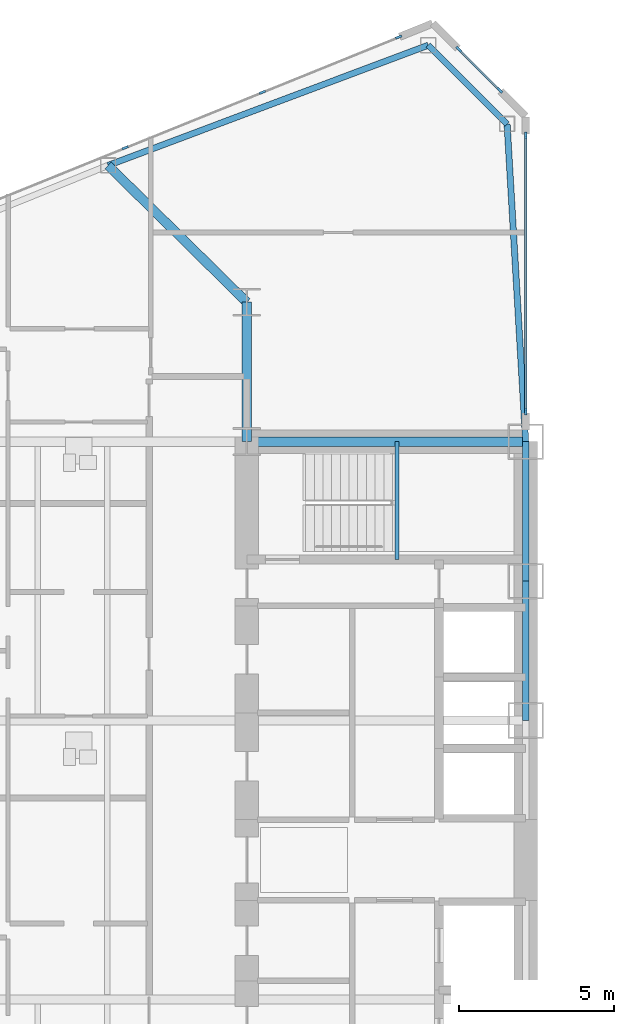
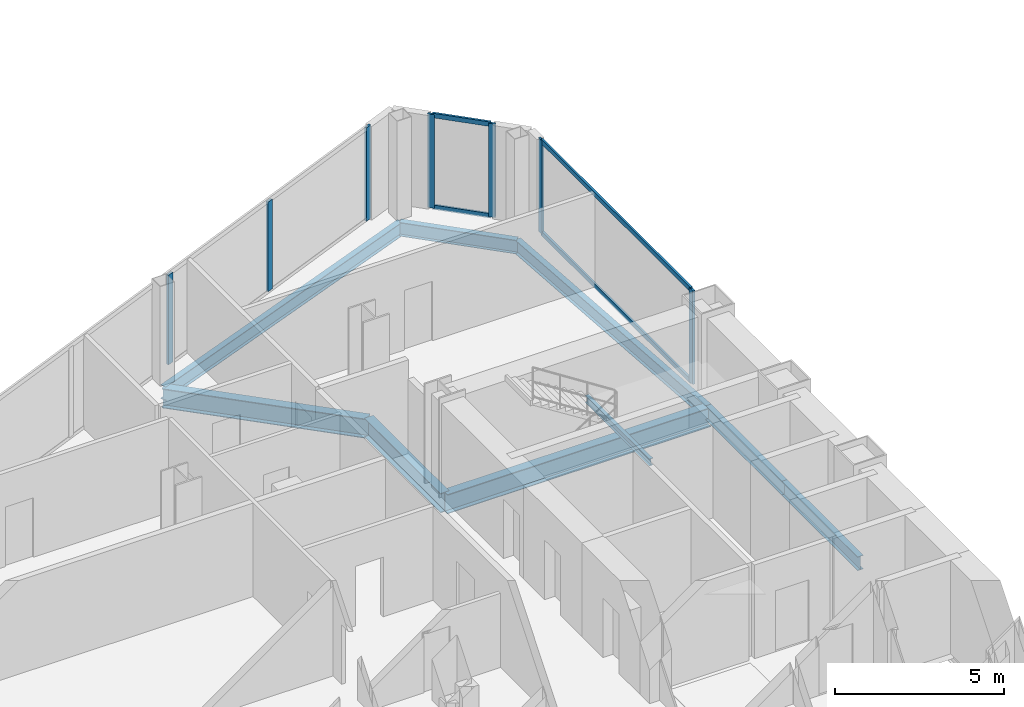
# One storey, part 8 of 25: 11 members, 9 beams, 3 elements without a shape of their own.
"""IFC4 building model written with IfcOpenShell, lengths in metres."""

from ifc_helpers import new_model, si_unit, direction, frame, origin, origin_2d, place, context, subcontext, project, spatial, rectangle, i_section, extrude, source, transform, mapped, material, layer, layer_set, material_profile, profile_set, type_object, type_shapes, element, aggregate, save


model = new_model("IFC4")

# Units and contexts
model_context = context("Model", 3, precision=1e-05, world=origin(), true_north=direction((0.0, 1.0)))
body_context = subcontext(model_context, "Body", "Model", "MODEL_VIEW")
ifc_project = project(units=[si_unit("LENGTHUNIT", "METRE"), si_unit("AREAUNIT", "SQUARE_METRE"), si_unit("VOLUMEUNIT", "CUBIC_METRE"), si_unit("PLANEANGLEUNIT", "RADIAN"), si_unit("MASSUNIT", "GRAM", prefix="KILO")], contexts=[model_context])

# Site, building, storey
site_placement = place(None, origin())
site = spatial("IfcSite", under=ifc_project, at=site_placement, CompositionType="ELEMENT")
building_placement = place(site_placement, origin())
building = spatial("IfcBuilding", under=site, at=building_placement, Name="Seokmaru Belvedere", CompositionType="ELEMENT")
storey_placement = place(building_placement, frame((0.0, 0.0, 29.699951171875)))
storey = spatial("IfcBuildingStorey", under=building, at=storey_placement, Name="L07", CompositionType="ELEMENT", Elevation=29.699951171875)

# Beams
ifc_material_1 = material(Name="Steel SM355 (355 MPa)", Category="steel")
ifc_material_profile_1 = material_profile(ifc_material_1, i_section(OverallWidth=0.199951171875, OverallDepth=0.5, WebThickness=0.010009765625, FlangeThickness=0.01611328125, at=origin_2d()), Name="H-500x200x10x16")
ifc_profile_set_1 = profile_set([ifc_material_profile_1], Name="Steel SM355 (355 MPa)")
beam_type_1 = type_object("IfcBeamType", Name="Perimeter Spandrel Beam H-500", PredefinedType="SPANDREL", material=ifc_profile_set_1)
shared_shape_1 = source(origin(), body_context, "Body", "SweptSolid", [
    extrude(i_section(OverallWidth=0.199951171875, OverallDepth=0.5, WebThickness=0.010009765625, FlangeThickness=0.01611328125, at=origin_2d()), origin(), (0.0, 0.0, 1.0), 4.5),
])
for number, where, z_axis, x_axis, name in (
    (1, (-27.5, 4.5, -0.469970703125), (0.0, 1.0, 0.0), (-1.0, 0.0, 0.0), "L07 W Portal Spine Spandrel 4"),
    (2, (-27.5, 9.0, -0.469970703125), (0.0, 1.0, 0.0), (-1.0, 0.0, 0.0), "L07 W Portal Spine Spandrel 5"),
):
    element("IfcBeam", number, at=place(storey_placement, frame(where, z_axis=z_axis, x_axis=x_axis)), inside=storey, type_object=beam_type_1, Name=name, PredefinedType="SPANDREL", context=body_context, shape_type="MappedRepresentation", body=[
        mapped(shared_shape_1, transform((0.0, 0.0, 0.0), scale=1.0)),
    ])
ifc_material_profile_2 = material_profile(ifc_material_1, i_section(OverallWidth=0.300048828125, OverallDepth=0.699951171875, WebThickness=0.012939453125, FlangeThickness=0.02392578125, at=origin_2d()), Name="H-700x300x13x24")
ifc_profile_set_2 = profile_set([ifc_material_profile_2], Name="Steel SM355 (355 MPa)")
beam_type_2 = type_object("IfcBeamType", Name="Primary Floor Girder H-700", PredefinedType="BEAM", material=ifc_profile_set_2)
shared_shape_2 = source(origin(), body_context, "Body", "SweptSolid", [
    extrude(i_section(OverallWidth=0.300048828125, OverallDepth=0.699951171875, WebThickness=0.012939453125, FlangeThickness=0.02392578125, at=origin_2d()), origin(), (0.0, 0.0, 1.0), 4.5),
])
beam_1_placement = place(storey_placement, frame((-36.5, 13.5, -0.570068359375), z_axis=(0.0, 1.0, 0.0), x_axis=(-1.0, 0.0, 0.0)))
element("IfcBeam", 3, at=beam_1_placement, inside=storey, type_object=beam_type_2, Name="L07 W Core Shoulder Girder N", PredefinedType="BEAM", context=body_context, shape_type="MappedRepresentation", body=[
    mapped(shared_shape_2, transform((0.0, 0.0, 0.0), scale=1.0)),
])
shared_shape_3 = source(origin(), body_context, "Body", "SweptSolid", [
    extrude(i_section(OverallWidth=0.300048828125, OverallDepth=0.699951171875, WebThickness=0.012939453125, FlangeThickness=0.02392578125, at=origin_2d()), origin(), (0.0, 0.0, 1.0), 9.0),
])
beam_2_placement = place(storey_placement, frame((-36.5, 13.5, -0.570068359375), z_axis=(1.0, 0.0, 0.0), x_axis=(0.0, 1.0, 0.0)))
element("IfcBeam", 4, at=beam_2_placement, inside=storey, type_object=beam_type_2, Name="L07 W Core Tie Girder 4", PredefinedType="BEAM", context=body_context, shape_type="MappedRepresentation", body=[
    mapped(shared_shape_3, transform((0.0, 0.0, 0.0), scale=1.0)),
])
shared_shape_4 = source(origin(), body_context, "Body", "SweptSolid", [
    extrude(i_section(OverallWidth=0.199951171875, OverallDepth=0.5, WebThickness=0.010009765625, FlangeThickness=0.01611328125, at=origin_2d()), origin(), (0.0, 0.0, 1.0), 11.03857421875),
])
beam_3_placement = place(storey_placement, frame((-30.643310546875, 26.294677734375, -0.469970703125), z_axis=(-0.936169110734, -0.351549990907, 0.0), x_axis=(0.351549990907, -0.936169110734, 0.0)))
element("IfcBeam", 5, at=beam_3_placement, inside=storey, type_object=beam_type_1, Name="L07 W Faceted Flank Spandrel N-1", PredefinedType="SPANDREL", context=body_context, shape_type="MappedRepresentation", body=[
    mapped(shared_shape_4, transform((0.0, 0.0, 0.0), scale=1.0)),
])
shared_shape_5 = source(origin(), body_context, "Body", "SweptSolid", [
    extrude(i_section(OverallWidth=0.199951171875, OverallDepth=0.5, WebThickness=0.010009765625, FlangeThickness=0.01611328125, at=origin_2d()), origin(), (0.0, 0.0, 1.0), 3.5966796875),
])
beam_4_placement = place(storey_placement, frame((-30.643310546875, 26.294677734375, -0.469970703125), z_axis=(0.707106781187, -0.707106781187, 0.0), x_axis=(0.707106781187, 0.707106781187, 0.0)))
element("IfcBeam", 6, at=beam_4_placement, inside=storey, type_object=beam_type_1, Name="L07 W Shoulder Chamfer Spandrel N", PredefinedType="SPANDREL", context=body_context, shape_type="MappedRepresentation", body=[
    mapped(shared_shape_5, transform((0.0, 0.0, 0.0), scale=1.0)),
])
shared_shape_6 = source(origin(), body_context, "Body", "SweptSolid", [
    extrude(i_section(OverallWidth=0.199951171875, OverallDepth=0.5, WebThickness=0.010009765625, FlangeThickness=0.01611328125, at=origin_2d()), origin(), (0.0, 0.0, 1.0), 10.26904296875),
])
type_shapes(beam_type_1, [shared_shape_1, shared_shape_4, shared_shape_5, shared_shape_6])
beam_5_placement = place(storey_placement, frame((-28.10009765625, 23.75146484375, -0.469970703125), z_axis=(0.058437709399, -0.998291056817, 0.0), x_axis=(0.998291056817, 0.058437709399, 0.0)))
element("IfcBeam", 7, at=beam_5_placement, inside=storey, type_object=beam_type_1, Name="L07 W Shoulder Spine Spandrel N", PredefinedType="SPANDREL", context=body_context, shape_type="MappedRepresentation", body=[
    mapped(shared_shape_6, transform((0.0, 0.0, 0.0), scale=1.0)),
])
shared_shape_7 = source(origin(), body_context, "Body", "SweptSolid", [
    extrude(i_section(OverallWidth=0.300048828125, OverallDepth=0.699951171875, WebThickness=0.012939453125, FlangeThickness=0.02392578125, at=origin_2d()), origin(), (0.0, 0.0, 1.0), 6.287353515625),
])
type_shapes(beam_type_2, [shared_shape_2, shared_shape_3, shared_shape_7])
beam_6_placement = place(storey_placement, frame((-40.977294921875, 22.4140625, -0.570068359375), z_axis=(0.712117485263, -0.702060315915, 0.0), x_axis=(0.702060315915, 0.712117485263, 0.0)))
element("IfcBeam", 8, at=beam_6_placement, inside=storey, type_object=beam_type_2, Name="L07 W Flank Radial Floor Girder N-1", PredefinedType="BEAM", context=body_context, shape_type="MappedRepresentation", body=[
    mapped(shared_shape_7, transform((0.0, 0.0, 0.0), scale=1.0)),
])

# Curtain wall, members
ifc_material_2 = material(Name="Bronze Triple Insulating Glass", Category="glass")
ifc_layer = layer(ifc_material_2, 0.2099609375)
ifc_layer_set = layer_set([ifc_layer], Name="Bronze Triple Insulating Glass")
curtain_wall_type = type_object("IfcCurtainWallType", Name="Low-Rise Faceted Crystal Curtain Wall System CW-2", PredefinedType="NOTDEFINED", material=ifc_layer_set)
curtain_wall_1_placement = place(storey_placement, origin())
curtain_wall_1 = element("IfcCurtainWall", 9, at=curtain_wall_1_placement, inside=storey, type_object=curtain_wall_type, Name="L07 Curtain Wall WSP_2", PredefinedType="NOTDEFINED")
ifc_material_3 = material(Name="Anodised Bronze Aluminium", Category="aluminium")
ifc_material_profile_3 = material_profile(ifc_material_3, rectangle(XDim=0.074951171875, YDim=0.2099609375, at=origin_2d()), Name="CW-M-75x210")
ifc_profile_set_3 = profile_set([ifc_material_profile_3], Name="Anodised Bronze Aluminium")
member_type_1 = type_object("IfcMemberType", Name="Bronze Unitised Mullion 75x210", PredefinedType="MULLION", material=ifc_profile_set_3)
shared_shape_8 = source(origin(), body_context, "Body", "SweptSolid", [
    extrude(rectangle(XDim=0.074951171875, YDim=0.2099609375, at=origin_2d()), origin(), (0.0, 0.0, 1.0), 3.380126953125),
])
member_1_placement = place(storey_placement, frame((-27.5, 14.467529296875, 0.0), z_axis=(0.0, 0.0, 1.0), x_axis=(-1.0, 0.0, 0.0)))
member_1 = element("IfcMember", 10, at=member_1_placement, type_object=member_type_1, Name="CW:L07:WSP_2 Mullion 1", PredefinedType="MULLION", context=body_context, shape_type="MappedRepresentation", body=[
    mapped(shared_shape_8, transform((0.0, 0.0, 0.0), scale=1.0)),
])
member_2_placement = place(storey_placement, frame((-27.5, 23.392578125, 0.0), z_axis=(0.0, 0.0, 1.0), x_axis=(-1.0, 0.0, 0.0)))
member_2 = element("IfcMember", 11, at=member_2_placement, type_object=member_type_1, Name="CW:L07:WSP_2 Mullion 2", PredefinedType="MULLION", context=body_context, shape_type="MappedRepresentation", body=[
    mapped(shared_shape_8, transform((0.0, 0.0, 0.0), scale=1.0)),
])

curtain_wall_2_placement = place(storey_placement, origin())
curtain_wall_2 = element("IfcCurtainWall", 12, at=curtain_wall_2_placement, inside=storey, type_object=curtain_wall_type, Name="L07 Curtain Wall WF2", PredefinedType="NOTDEFINED")
member_3_placement = place(storey_placement, frame((-28.339599609375, 24.839599609375, 0.0), z_axis=(0.0, 0.0, 1.0), x_axis=(-0.707106781187, -0.707106781187, 0.0)))
member_3 = element("IfcMember", 13, at=member_3_placement, type_object=member_type_1, Name="CW:L07:WF2 Mullion 1", PredefinedType="MULLION", context=body_context, shape_type="MappedRepresentation", body=[
    mapped(shared_shape_8, transform((0.0, 0.0, 0.0), scale=1.0)),
])
member_4_placement = place(storey_placement, frame((-29.660400390625, 26.160400390625, 0.0), z_axis=(0.0, 0.0, 1.0), x_axis=(-0.707106781187, -0.707106781187, 0.0)))
member_4 = element("IfcMember", 14, at=member_4_placement, type_object=member_type_1, Name="CW:L07:WF2 Mullion 2", PredefinedType="MULLION", context=body_context, shape_type="MappedRepresentation", body=[
    mapped(shared_shape_8, transform((0.0, 0.0, 0.0), scale=1.0)),
])

# Curtain wall, member
curtain_wall_3_placement = place(storey_placement, origin())
curtain_wall_3 = element("IfcCurtainWall", 15, at=curtain_wall_3_placement, inside=storey, type_object=curtain_wall_type, Name="L07 Curtain Wall WF3", PredefinedType="NOTDEFINED")
member_5_placement = place(storey_placement, frame((-31.600830078125, 26.554443359375, 0.0), z_axis=(0.0, 0.0, 1.0), x_axis=(0.375192321888, -0.926946989637, 0.0)))
member_5 = element("IfcMember", 16, at=member_5_placement, type_object=member_type_1, Name="CW:L07:WF3 Mullion 1", PredefinedType="MULLION", context=body_context, shape_type="MappedRepresentation", body=[
    mapped(shared_shape_8, transform((0.0, 0.0, 0.0), scale=1.0)),
])

# Member
ifc_material_profile_4 = material_profile(ifc_material_3, rectangle(XDim=0.070068359375, YDim=0.1650390625, at=origin_2d()), Name="CW-T-70x165")
ifc_profile_set_4 = profile_set([ifc_material_profile_4], Name="Anodised Bronze Aluminium")
member_type_2 = type_object("IfcMemberType", Name="Bronze Unitised Transom 70x165", PredefinedType="USERDEFINED", material=ifc_profile_set_4)
shared_shape_9 = source(origin(), body_context, "Body", "SweptSolid", [
    extrude(rectangle(XDim=0.070068359375, YDim=0.1650390625, at=origin_2d()), origin(), (0.0, 0.0, 1.0), 8.85009765625),
])
member_6_placement = place(storey_placement, frame((-27.5, 14.5048828125, 0.03515625), z_axis=(0.0, 1.0, 0.0), x_axis=(-1.0, 0.0, 0.0)))
member_6 = element("IfcMember", 17, at=member_6_placement, type_object=member_type_2, Name="CW:L07:WSP_2 Continuous Transom 1", ObjectType="TRANSOM", PredefinedType="USERDEFINED", context=body_context, shape_type="MappedRepresentation", body=[
    mapped(shared_shape_9, transform((0.0, 0.0, 0.0), scale=1.0)),
])

member_7_placement = place(storey_placement, frame((-27.5, 14.5048828125, 3.344970703125), z_axis=(0.0, 1.0, 0.0), x_axis=(-1.0, 0.0, 0.0)))
member_7 = element("IfcMember", 18, at=member_7_placement, type_object=member_type_2, Name="CW:L07:WSP_2 Continuous Transom 2", ObjectType="TRANSOM", PredefinedType="USERDEFINED", context=body_context, shape_type="MappedRepresentation", body=[
    mapped(shared_shape_9, transform((0.0, 0.0, 0.0), scale=1.0)),
])

aggregate(curtain_wall_1, [member_1, member_2, member_6, member_7])

shared_shape_10 = source(origin(), body_context, "Body", "SweptSolid", [
    extrude(rectangle(XDim=0.070068359375, YDim=0.1650390625, at=origin_2d()), origin(), (0.0, 0.0, 1.0), 1.792724609375),
])
type_shapes(member_type_2, [shared_shape_9, shared_shape_10])
member_8_placement = place(storey_placement, frame((-28.3662109375, 24.8662109375, 0.03515625), z_axis=(-0.707106781187, 0.707106781187, 0.0), x_axis=(-0.707106781187, -0.707106781187, 0.0)))
member_8 = element("IfcMember", 19, at=member_8_placement, type_object=member_type_2, Name="CW:L07:WF2 Continuous Transom 1", ObjectType="TRANSOM", PredefinedType="USERDEFINED", context=body_context, shape_type="MappedRepresentation", body=[
    mapped(shared_shape_10, transform((0.0, 0.0, 0.0), scale=1.0)),
])

member_9_placement = place(storey_placement, frame((-28.3662109375, 24.8662109375, 3.344970703125), z_axis=(-0.707106781187, 0.707106781187, 0.0), x_axis=(-0.707106781187, -0.707106781187, 0.0)))
member_9 = element("IfcMember", 20, at=member_9_placement, type_object=member_type_2, Name="CW:L07:WF2 Continuous Transom 2", ObjectType="TRANSOM", PredefinedType="USERDEFINED", context=body_context, shape_type="MappedRepresentation", body=[
    mapped(shared_shape_10, transform((0.0, 0.0, 0.0), scale=1.0)),
])

aggregate(curtain_wall_2, [member_3, member_4, member_8, member_9])

shared_shape_11 = source(origin(), body_context, "Body", "SweptSolid", [
    extrude(rectangle(XDim=0.074951171875, YDim=0.2099609375, at=origin_2d()), origin(), (0.0, 0.0, 1.0), 3.239990234375),
])
type_shapes(member_type_1, [shared_shape_8, shared_shape_11])
member_10_placement = place(storey_placement, frame((-35.995849609375, 24.775390625, 0.070068359375), z_axis=(0.0, 0.0, 1.0), x_axis=(0.375192321888, -0.926946989637, 0.0)))
member_10 = element("IfcMember", 21, at=member_10_placement, type_object=member_type_1, Name="CW:L07:WF3 Mullion 2", PredefinedType="MULLION", context=body_context, shape_type="MappedRepresentation", body=[
    mapped(shared_shape_11, transform((0.0, 0.0, 0.0), scale=1.0)),
])

member_11_placement = place(storey_placement, frame((-40.425537109375, 22.982421875, 0.070068359375), z_axis=(0.0, 0.0, 1.0), x_axis=(0.375192321888, -0.926946989637, 0.0)))
member_11 = element("IfcMember", 22, at=member_11_placement, type_object=member_type_1, Name="CW:L07:WF3 Mullion 3", PredefinedType="MULLION", context=body_context, shape_type="MappedRepresentation", body=[
    mapped(shared_shape_11, transform((0.0, 0.0, 0.0), scale=1.0)),
])

aggregate(curtain_wall_3, [member_5, member_10, member_11])

# Beam
ifc_material_profile_5 = material_profile(ifc_material_1, i_section(OverallWidth=0.125, OverallDepth=0.25, WebThickness=0.006103515625, FlangeThickness=0.009033203125, at=origin_2d()), Name="H-250x125x6x9")
ifc_profile_set_5 = profile_set([ifc_material_profile_5], Name="Steel SM355 (355 MPa)")
beam_type_3 = type_object("IfcBeamType", Name="Stair Mid-Landing Support Beam H-250", PredefinedType="JOIST", material=ifc_profile_set_5)
shared_shape_12 = source(origin(), body_context, "Body", "SweptSolid", [
    extrude(i_section(OverallWidth=0.125, OverallDepth=0.25, WebThickness=0.006103515625, FlangeThickness=0.009033203125, at=origin_2d()), origin(), (0.0, 0.0, 1.0), 3.800048828125),
])
type_shapes(beam_type_3, [shared_shape_12])
beam_7_placement = place(storey_placement, frame((-31.64990234375, 9.699951171875, 1.47509765625), z_axis=(0.0, 1.0, 0.0), x_axis=(-1.0, 0.0, 0.0)))
element("IfcBeam", 23, at=beam_7_placement, inside=storey, type_object=beam_type_3, Name="L07 Stair ST-W2 Mid-Landing Support Beam 1", PredefinedType="JOIST", context=body_context, shape_type="MappedRepresentation", body=[
    mapped(shared_shape_12, transform((0.0, 0.0, 0.0), scale=1.0)),
])

save(model, "model.ifc")
